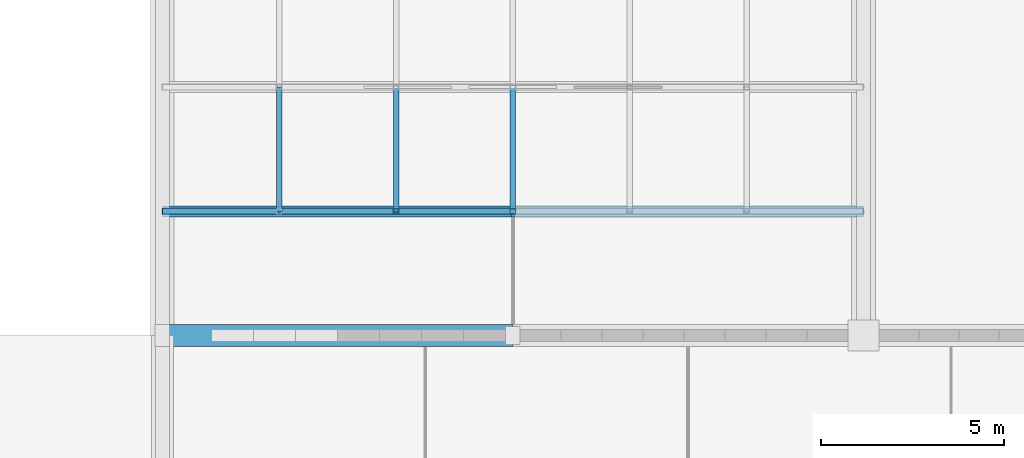
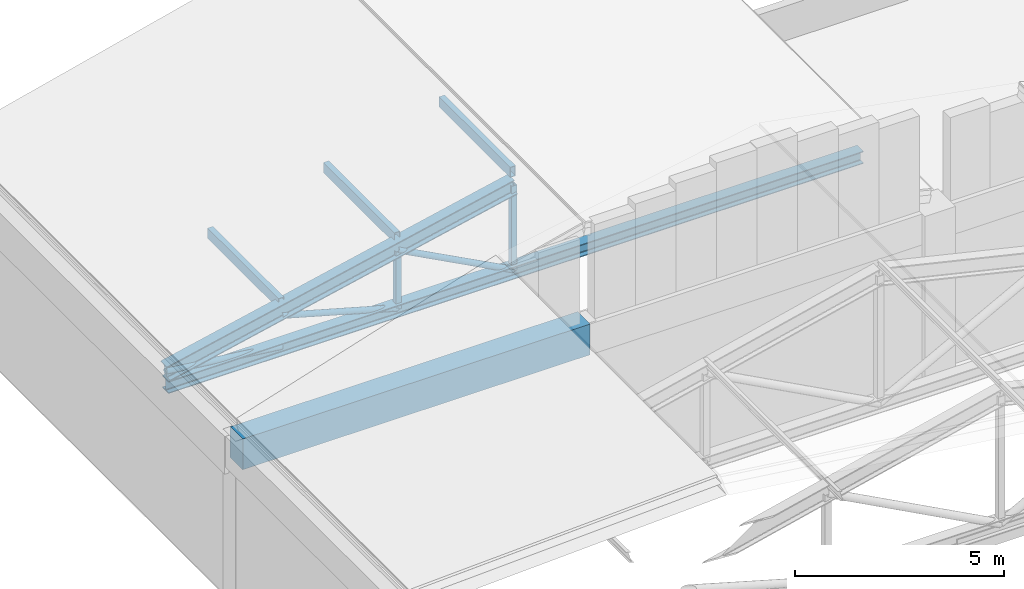
# One storey, part 19 of 61: 10 members, 1 beam.
"""IFC4 building model written with IfcOpenShell, lengths in metres."""

import ifcopenshell
import ifcopenshell.guid

model = None  # the IFC model being written
_history = None  # IfcOwnerHistory: only IFC2X3 demands one
_inside = {}  # id of a spatial element -> (the spatial element, [elements in it])
_under = {}  # id of a project, library or spatial element -> (it, [spatial elements below it])
_declared = {}  # id of a project -> (the project, [libraries it declares])
_typed = {}  # id of a type object -> (the type object, [elements of that type])
_made_of = {}  # id of a material, layer set ... -> (it, [elements and type objects made of it])


def new_model(schema):
    """Start an empty IFC model of exactly this schema.

    Asked for "IFC4X3", IfcOpenShell would pick the latest addendum, in which some entities
    have other attributes; the version numbers below select the first issue.
    IFC2X3 requires an IfcOwnerHistory on every rooted entity: one is made here for all.
    """
    global model, _history
    if schema == "IFC4X3":
        model = ifcopenshell.file(schema_version=(4, 3, 0, 0))
    else:
        model = ifcopenshell.file(schema=schema)
    _inside.clear()
    _under.clear()
    _declared.clear()
    _typed.clear()
    _made_of.clear()
    _history = None
    if model.schema == "IFC2X3":
        org = make("IfcOrganization", Name="unknown")
        user = make(
            "IfcPersonAndOrganization",
            ThePerson=make("IfcPerson", FamilyName="unknown"),
            TheOrganization=org,
        )
        app = make(
            "IfcApplication",
            ApplicationDeveloper=org,
            Version="unknown",
            ApplicationFullName="unknown",
            ApplicationIdentifier="unknown",
        )
        _history = make(
            "IfcOwnerHistory",
            OwningUser=user,
            OwningApplication=app,
            ChangeAction="ADDED",
            CreationDate=0,
        )
    return model


def make(cls, **values):
    """One entity of the class cls with the attributes given. An attribute that is None is left unset."""
    return model.create_entity(
        cls, **{name: value for name, value in values.items() if value is not None}
    )


def rooted(cls, **values):
    """An entity with a GlobalId (a new one), such as an element, a storey or a relation."""
    return make(cls, GlobalId=ifcopenshell.guid.new(), OwnerHistory=_history, **values)


def si_unit(unit_type, name, prefix=None):
    """IfcSIUnit, for example si_unit("LENGTHUNIT", "METRE", prefix="MILLI")."""
    return make("IfcSIUnit", UnitType=unit_type, Prefix=prefix, Name=name)


def assignment(units):
    """IfcUnitAssignment: the units of a project."""
    return None if units is None else make("IfcUnitAssignment", Units=units)


def point(xyz):
    """IfcCartesianPoint."""
    return None if xyz is None else make("IfcCartesianPoint", Coordinates=xyz)


def direction(xyz):
    """IfcDirection."""
    return None if xyz is None else make("IfcDirection", DirectionRatios=xyz)


def frame(location, z_axis=None, x_axis=None):
    """IfcAxis2Placement3D, a coordinate frame: its origin and axes. An axis left out is left unset."""
    return make(
        "IfcAxis2Placement3D",
        Location=point(location),
        Axis=direction(z_axis),
        RefDirection=direction(x_axis),
    )


def frame_2d(location, x_axis=None):
    """IfcAxis2Placement2D, a coordinate frame in the plane: its origin and x axis."""
    return make(
        "IfcAxis2Placement2D", Location=point(location), RefDirection=direction(x_axis)
    )


def origin():
    """The frame at (0, 0, 0) with its axes left unset."""
    return frame((0.0, 0.0, 0.0))


def origin_2d():
    """The frame at (0, 0) in the plane with its x axis left unset."""
    return frame_2d((0.0, 0.0))


def place(relative_to, where):
    """IfcLocalPlacement: puts the frame where relative to a parent placement (None: the world)."""
    return make(
        "IfcLocalPlacement", PlacementRelTo=relative_to, RelativePlacement=where
    )


def context(
    kind, dimensions, precision=None, world=None, true_north=None, identifier=None
):
    """IfcGeometricRepresentationContext, for example the 3D "Model" context."""
    return make(
        "IfcGeometricRepresentationContext",
        ContextIdentifier=identifier,
        ContextType=kind,
        CoordinateSpaceDimension=dimensions,
        Precision=precision,
        WorldCoordinateSystem=world,
        TrueNorth=true_north,
    )


def subcontext(parent, identifier, kind, view, scale=None):
    """IfcGeometricRepresentationSubContext, for example "Body" below "Model"."""
    return make(
        "IfcGeometricRepresentationSubContext",
        ContextIdentifier=identifier,
        ContextType=kind,
        ParentContext=parent,
        TargetScale=scale,
        TargetView=view,
    )


def project(units=None, contexts=None):
    """IfcProject with its units and contexts."""
    return rooted(
        "IfcProject",
        Name="project",
        RepresentationContexts=contexts,
        UnitsInContext=assignment(units),
    )


def spatial(cls, under=None, at=None, **own):
    """A site, building, storey or space (cls), placed at a placement, below another one or the project."""
    s = rooted(cls, ObjectPlacement=at, **own)
    if under is not None:
        _under.setdefault(under.id(), (under, []))[1].append(s)
    return s


def profile(cls, at=None, kind="AREA", **sizes):
    """A parametric profile (cls). Its sizes go by their IFC names, for example OverallWidth=200.0."""
    return make(cls, ProfileType=kind, Position=at, **sizes)


def rectangle(**sizes):
    """IfcRectangleProfileDef."""
    return profile("IfcRectangleProfileDef", **sizes)


def hollow_rectangle(**sizes):
    """IfcRectangleHollowProfileDef."""
    return profile("IfcRectangleHollowProfileDef", **sizes)


def hollow_circle(**sizes):
    """IfcCircleHollowProfileDef."""
    return profile("IfcCircleHollowProfileDef", **sizes)


def i_section(**sizes):
    """IfcIShapeProfileDef."""
    return profile("IfcIShapeProfileDef", **sizes)


def extrude(swept, where, along, depth):
    """IfcExtrudedAreaSolid: the profile swept, set in the frame where, extruded along a direction by depth."""
    return make(
        "IfcExtrudedAreaSolid",
        SweptArea=swept,
        Position=where,
        ExtrudedDirection=direction(along),
        Depth=depth,
    )


def shape(context_of_items, identifier, shape_type, items):
    """IfcShapeRepresentation: the items that make up one representation, for example the "Body"."""
    return make(
        "IfcShapeRepresentation",
        ContextOfItems=context_of_items,
        RepresentationIdentifier=identifier,
        RepresentationType=shape_type,
        Items=items,
    )


def material(Name=None, Category=None):
    """IfcMaterial."""
    return make("IfcMaterial", Name=Name, Category=Category)


def material_profile(
    of_material, cross_section, Name=None, Category=None, Priority=None
):
    """IfcMaterialProfile: a cross section and its material."""
    return make(
        "IfcMaterialProfile",
        Name=Name,
        Material=of_material,
        Profile=cross_section,
        Priority=Priority,
        Category=Category,
    )


def profile_set(profiles, Name=None, composite=None):
    """IfcMaterialProfileSet."""
    return make(
        "IfcMaterialProfileSet",
        Name=Name,
        MaterialProfiles=profiles,
        CompositeProfile=composite,
    )


def made_of(thing, what):
    """Note that an element or type object is made of a material, layer set ...; save() writes the relation."""
    if what is not None:
        _made_of.setdefault(what.id(), (what, []))[1].append(thing)
    return thing


def type_object(cls, material=None, **own):
    """A type object (cls), such as IfcWallType, which elements share."""
    return made_of(rooted(cls, **own), material)


def element(
    cls,
    number,
    at=None,
    inside=None,
    cuts=None,
    type_object=None,
    material=None,
    context=None,
    identifier="Body",
    shape_type=None,
    held_by="IfcProductDefinitionShape",
    body=None,
    shapes=None,
    **own,
):
    """One element of the class cls, such as IfcWall. Its Tag is "e" and its number.

    at: its placement. inside: the storey or other place that contains it. cuts: it is an
    opening in that element (IfcRelVoidsElement). A single representation is given by context,
    identifier, shape_type and body (its items); several are given by shapes. held_by: the class
    of the entity that holds the representations. save() writes the other relations.
    """
    e = rooted(cls, Tag="e%d" % number, ObjectPlacement=at, **own)
    if body is not None:
        shapes = [shape(context, identifier, shape_type, body)]
    if shapes is not None:
        e.Representation = make(held_by, Representations=shapes)
    if inside is not None:
        _inside.setdefault(inside.id(), (inside, []))[1].append(e)
    if cuts is not None:
        rooted(
            "IfcRelVoidsElement", RelatingBuildingElement=cuts, RelatedOpeningElement=e
        )
    if type_object is not None:
        _typed.setdefault(type_object.id(), (type_object, []))[1].append(e)
    return made_of(e, material)


def aggregate(whole, parts):
    """IfcRelAggregates: a whole, such as a stair, and the parts it consists of."""
    return rooted("IfcRelAggregates", RelatingObject=whole, RelatedObjects=parts)


def save(model, path):
    """Write the relations noted so far, then the file.

    IfcRelAggregates (storeys below a building ...), IfcRelContainedInSpatialStructure (elements
    in a storey), IfcRelDefinesByType, IfcRelAssociatesMaterial and IfcRelDeclares: one each for
    every whole, place, type object, material and project.
    """
    for whole, parts in _under.values():
        aggregate(whole, parts)
    for where, things in _inside.values():
        rooted(
            "IfcRelContainedInSpatialStructure",
            RelatedElements=things,
            RelatingStructure=where,
        )
    for kind, things in _typed.values():
        rooted("IfcRelDefinesByType", RelatedObjects=things, RelatingType=kind)
    for what, things in _made_of.values():
        rooted("IfcRelAssociatesMaterial", RelatedObjects=things, RelatingMaterial=what)
    for by, libraries in _declared.values():
        rooted("IfcRelDeclares", RelatingContext=by, RelatedDefinitions=libraries)
    model.write(path)


model = new_model("IFC4")

# Units and contexts
model_context = context("Model", 3, precision=1e-05, world=origin(), true_north=direction((0.0, 1.0)))
body_context = subcontext(model_context, "Body", "Model", "MODEL_VIEW")
ifc_project = project(units=[si_unit("LENGTHUNIT", "METRE"), si_unit("AREAUNIT", "SQUARE_METRE"), si_unit("VOLUMEUNIT", "CUBIC_METRE"), si_unit("PLANEANGLEUNIT", "RADIAN"), si_unit("MASSUNIT", "GRAM", prefix="KILO")], contexts=[model_context])

# Site, building, storey
site_placement = place(None, origin())
site = spatial("IfcSite", under=ifc_project, at=site_placement, CompositionType="ELEMENT")
building_placement = place(site_placement, origin())
building = spatial("IfcBuilding", under=site, at=building_placement, Name="Vellmiral Cinema and Media Centre", CompositionType="ELEMENT")
storey_placement = place(building_placement, frame((0.0, 0.0, 10.800048828125)))
storey = spatial("IfcBuildingStorey", under=building, at=storey_placement, Name="L02", CompositionType="ELEMENT", Elevation=10.800048828125)

# Members
ifc_material_1 = material(Name="Steel S355", Category="steel")
ifc_material_profile_1 = material_profile(ifc_material_1, hollow_rectangle(XDim=0.14990234375, YDim=0.300048828125, WallThickness=0.010009765625, at=origin_2d()), Name="RHS 300x150x10.0")
ifc_profile_set_1 = profile_set([ifc_material_profile_1], Name="Steel S355")
member_type_1 = type_object("IfcMemberType", Name="PRL-RHS300", PredefinedType="PURLIN", material=ifc_profile_set_1)
for number, where, z_axis, x_axis, name in (
    (1, (9.60009765625, 98.60009765625, 5.412841796875), (0.0, 1.0, 0.0), (-1.0, 0.0, 0.0), "Roof Purlin 4.1.1"),
    (2, (12.800048828125, 98.60009765625, 6.210693359375), (0.0, 1.0, 0.0), (-1.0, 0.0, 0.0), "Roof Purlin 4.2.1"),
    (3, (16.0, 98.60009765625, 7.008544921875), (0.0, 1.0, 0.0), (-1.0, 0.0, 0.0), "Roof Purlin 4.3.1"),
):
    element("IfcMember", number, at=place(storey_placement, frame(where, z_axis=z_axis, x_axis=x_axis)), inside=storey, type_object=member_type_1, Name=name, PredefinedType="PURLIN", context=body_context, shape_type="SweptSolid", body=[
        extrude(hollow_rectangle(XDim=0.14990234375, YDim=0.300048828125, WallThickness=0.010009765625, at=origin_2d()), origin(), (0.0, 0.0, 1.0), 3.39990234375),
    ])

# Beam
ifc_material_2 = material(Name="Concrete C40/50", Category="concrete")
ifc_material_profile_2 = material_profile(ifc_material_2, rectangle(XDim=0.60009765625, YDim=0.89990234375, at=origin_2d()), Name="RC 600x900")
ifc_profile_set_2 = profile_set([ifc_material_profile_2], Name="Concrete C40/50")
beam_type = type_object("IfcBeamType", Name="RING-BM-600x900", PredefinedType="BEAM", material=ifc_profile_set_2)
beam_placement = place(storey_placement, frame((6.39990234375, 95.199951171875, 4.349853515625), z_axis=(1.0, 0.0, 0.0), x_axis=(0.0, 1.0, 0.0)))
element("IfcBeam", 4, at=beam_placement, inside=storey, type_object=beam_type, Name="Cinema Screen 3 Ring Beam 04", PredefinedType="BEAM", context=body_context, shape_type="SweptSolid", body=[
    extrude(rectangle(XDim=0.60009765625, YDim=0.89990234375, at=origin_2d()), origin(), (0.0, 0.0, 1.0), 9.60009765625),
])

# Members
ifc_material_3 = material(Name="Steel S355", Category="steel")
ifc_material_profile_3 = material_profile(ifc_material_3, hollow_circle(Radius=0.084228515625, WallThickness=0.008056640625, at=origin_2d()), Name="CHS 168.3x8.0")
ifc_profile_set_3 = profile_set([ifc_material_profile_3], Name="Steel S355")
member_type_2 = type_object("IfcMemberType", Name="TBR-CHS168", PredefinedType="BRACE", material=ifc_profile_set_3)
member_1_placement = place(storey_placement, frame((6.39990234375, 98.60009765625, 4.544921875), z_axis=(0.992467733724, 0.0, -0.122506316232), x_axis=(0.0, 1.0, 0.0)))
element("IfcMember", 5, at=member_1_placement, inside=storey, type_object=member_type_2, Name="Roof Truss TR-04.1 Diagonal 1", PredefinedType="BRACE", context=body_context, shape_type="SweptSolid", body=[
    extrude(hollow_circle(Radius=0.084228515625, WallThickness=0.008056640625, at=origin_2d()), origin(), (0.0, 0.0, 1.0), 3.224365234375),
])
member_2_placement = place(storey_placement, frame((9.60009765625, 98.60009765625, 5.0478515625), z_axis=(0.962810518235, 0.0, -0.270177545286), x_axis=(0.0, 1.0, 0.0)))
element("IfcMember", 6, at=member_2_placement, inside=storey, type_object=member_type_2, Name="Roof Truss TR-04.1 Diagonal 2", PredefinedType="BRACE", context=body_context, shape_type="SweptSolid", body=[
    extrude(hollow_circle(Radius=0.084228515625, WallThickness=0.008056640625, at=origin_2d()), origin(), (0.0, 0.0, 1.0), 3.323486328125),
])
member_3_placement = place(storey_placement, frame((12.800048828125, 98.60009765625, 5.845703125), z_axis=(0.883592703859, 0.0, -0.468256269246), x_axis=(0.0, 1.0, 0.0)))
element("IfcMember", 7, at=member_3_placement, inside=storey, type_object=member_type_2, Name="Roof Truss TR-04.1 Diagonal 3", PredefinedType="BRACE", context=body_context, shape_type="SweptSolid", body=[
    extrude(hollow_circle(Radius=0.084228515625, WallThickness=0.008056640625, at=origin_2d()), origin(), (0.0, 0.0, 1.0), 3.62158203125),
])
ifc_material_4 = material(Name="Steel S355", Category="steel")
ifc_material_profile_4 = material_profile(ifc_material_4, hollow_rectangle(XDim=0.14990234375, YDim=0.14990234375, WallThickness=0.008056640625, at=origin_2d()), Name="SHS 150x150x8.0")
ifc_profile_set_4 = profile_set([ifc_material_profile_4], Name="Steel S355")
member_type_3 = type_object("IfcMemberType", Name="TBR-SHS150", PredefinedType="BRACE", material=ifc_profile_set_4)
member_4_placement = place(storey_placement, frame((12.800048828125, 98.60009765625, 4.14990234375), z_axis=(0.0, 0.0, 1.0), x_axis=(1.0, 0.0, 0.0)))
element("IfcMember", 8, at=member_4_placement, inside=storey, type_object=member_type_3, Name="Roof Truss TR-04.1 Post 2", PredefinedType="BRACE", context=body_context, shape_type="SweptSolid", body=[
    extrude(hollow_rectangle(XDim=0.14990234375, YDim=0.14990234375, WallThickness=0.008056640625, at=origin_2d()), origin(), (0.0, 0.0, 1.0), 1.69580078125),
])
member_5_placement = place(storey_placement, frame((16.0, 98.60009765625, 4.14990234375), z_axis=(0.0, 0.0, 1.0), x_axis=(1.0, 0.0, 0.0)))
element("IfcMember", 9, at=member_5_placement, inside=storey, type_object=member_type_3, Name="Roof Truss TR-04.1 Post 3", PredefinedType="BRACE", context=body_context, shape_type="SweptSolid", body=[
    extrude(hollow_rectangle(XDim=0.14990234375, YDim=0.14990234375, WallThickness=0.008056640625, at=origin_2d()), origin(), (0.0, 0.0, 1.0), 2.49365234375),
])
ifc_material_5 = material(Name="Steel S355", Category="steel")
ifc_material_profile_5 = material_profile(ifc_material_5, i_section(OverallWidth=0.300048828125, OverallDepth=0.360107421875, WebThickness=0.012451171875, FlangeThickness=0.0224609375, FilletRadius=0.027099609375, at=origin_2d()), Name="HEB 360")
ifc_profile_set_5 = profile_set([ifc_material_profile_5], Name="Steel S355")
member_type_4 = type_object("IfcMemberType", Name="TCH-HEB360", PredefinedType="CHORD", material=ifc_profile_set_5)
member_6_placement = place(storey_placement, frame((6.39990234375, 98.60009765625, 4.14990234375), z_axis=(1.0, 0.0, 0.0), x_axis=(0.0, 1.0, 0.0)))
element("IfcMember", 10, at=member_6_placement, inside=storey, type_object=member_type_4, Name="Roof Truss TR-04.1 Bottom Chord", PredefinedType="CHORD", context=body_context, shape_type="SweptSolid", body=[
    extrude(i_section(OverallWidth=0.300048828125, OverallDepth=0.360107421875, WebThickness=0.012451171875, FlangeThickness=0.0224609375, FilletRadius=0.027099609375, at=origin_2d()), origin(), (0.0, 0.0, 1.0), 19.2001953125),
])
ifc_material_6 = material(Name="Steel S355", Category="steel")
ifc_material_profile_6 = material_profile(ifc_material_6, i_section(OverallWidth=0.300048828125, OverallDepth=0.449951171875, WebThickness=0.013916015625, FlangeThickness=0.02587890625, FilletRadius=0.027099609375, at=origin_2d()), Name="HEB 450")
ifc_profile_set_6 = profile_set([ifc_material_profile_6], Name="Steel S355")
member_type_5 = type_object("IfcMemberType", Name="TCH-HEB450", PredefinedType="CHORD", material=ifc_profile_set_6)
member_7_placement = place(storey_placement, frame((6.39990234375, 98.60009765625, 4.544921875), z_axis=(0.976929506413, 0.0, 0.213562027291), x_axis=(0.0, 1.0, 0.0)))
element("IfcMember", 11, at=member_7_placement, inside=storey, type_object=member_type_5, Name="Roof Truss TR-04.1 Top Chord W", PredefinedType="CHORD", context=body_context, shape_type="SweptSolid", body=[
    extrude(i_section(OverallWidth=0.300048828125, OverallDepth=0.449951171875, WebThickness=0.013916015625, FlangeThickness=0.02587890625, FilletRadius=0.027099609375, at=origin_2d()), origin(), (0.0, 0.0, 1.0), 9.826904296875),
])

save(model, "model.ifc")
